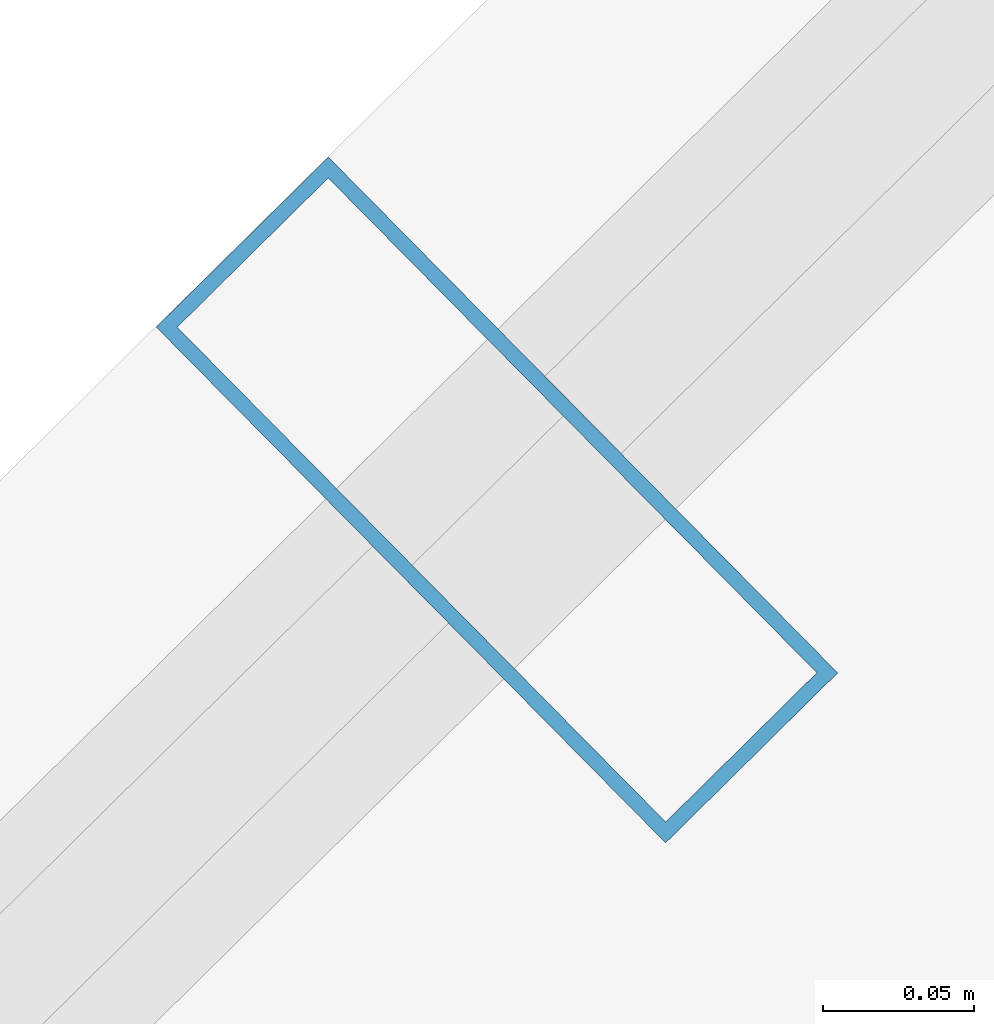
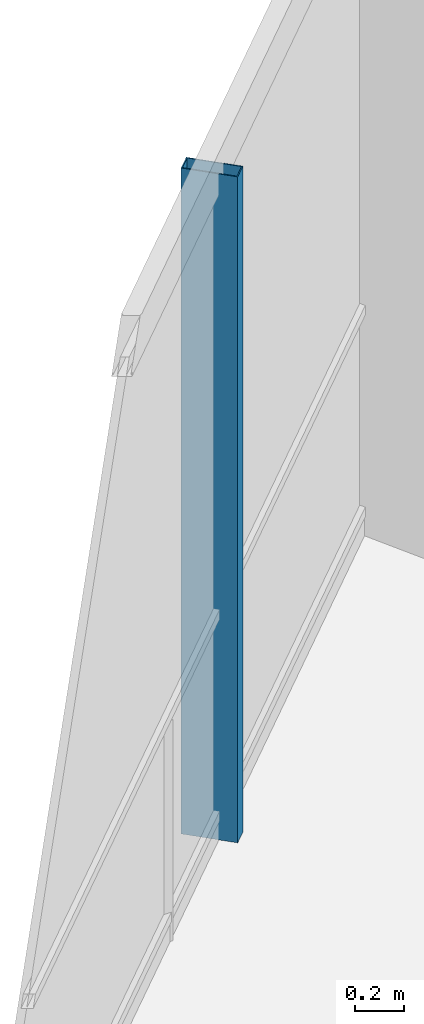
# One storey, part 9 of 19: 1 member, 1 element without a shape of its own.
"""IFC4 building model written with IfcOpenShell, lengths in metres."""

from ifc_helpers import new_model, si_unit, direction, frame, origin, origin_2d, place, context, subcontext, project, spatial, hollow_rectangle, extrude, material, layer, layer_set, material_profile, profile_set, type_object, element, aggregate, save


model = new_model("IFC4")

# Units and contexts
model_context = context("Model", 3, precision=1e-05, world=origin(), true_north=direction((0.0, 1.0)))
body_context = subcontext(model_context, "Body", "Model", "MODEL_VIEW")
ifc_project = project(units=[si_unit("LENGTHUNIT", "METRE"), si_unit("AREAUNIT", "SQUARE_METRE"), si_unit("VOLUMEUNIT", "CUBIC_METRE"), si_unit("PLANEANGLEUNIT", "RADIAN"), si_unit("MASSUNIT", "GRAM", prefix="KILO")], contexts=[model_context])

# Site, building, storey
site_placement = place(None, origin())
site = spatial("IfcSite", under=ifc_project, at=site_placement, CompositionType="ELEMENT")
building_placement = place(site_placement, origin())
building = spatial("IfcBuilding", under=site, at=building_placement, Name="Qarnah Convention Tower", CompositionType="ELEMENT")
storey_placement = place(building_placement, frame((0.0, 0.0, 235.5)))
storey = spatial("IfcBuildingStorey", under=building, at=storey_placement, Name="L63", CompositionType="ELEMENT", Elevation=235.5)

# Curtain wall, member
ifc_material_1 = material(Name="Tempered Low-E dark glass", Category="glass")
ifc_layer = layer(ifc_material_1, 0.176025390625)
ifc_layer_set = layer_set([ifc_layer], Name="Tempered Low-E dark glass")
curtain_wall_type = type_object("IfcCurtainWallType", Name="CWS-05", PredefinedType="NOTDEFINED", material=ifc_layer_set)
curtain_wall_placement = place(storey_placement, origin())
curtain_wall = element("IfcCurtainWall", 1, at=curtain_wall_placement, inside=storey, type_object=curtain_wall_type, Name="L63 unitised curtain wall CW-L63-F2", PredefinedType="NOTDEFINED")
ifc_material_2 = material(Name="Black anodised aluminium", Category="aluminium")
ifc_material_profile = material_profile(ifc_material_2, hollow_rectangle(XDim=0.080078125, YDim=0.239990234375, WallThickness=0.0048828125, at=origin_2d()), Name="MUL-80X240")
ifc_profile_set = profile_set([ifc_material_profile], Name="Black anodised aluminium")
member_type = type_object("IfcMemberType", Name="MUL-T5", PredefinedType="MULLION", material=ifc_profile_set)
member_placement = place(storey_placement, frame((28.417236328125, 39.354736328125, 0.0), z_axis=(0.0, 0.0, 1.0), x_axis=(0.711543869216, 0.702641674099, 0.0)))
member = element("IfcMember", 2, at=member_placement, type_object=member_type, Name="CW-L63-F2 mullion 4", PredefinedType="MULLION", context=body_context, shape_type="SweptSolid", body=[
    extrude(hollow_rectangle(XDim=0.080078125, YDim=0.239990234375, WallThickness=0.0048828125, at=origin_2d()), origin(), (0.0, 0.0, 1.0), 3.320068359375),
])
aggregate(curtain_wall, [member])

save(model, "model.ifc")
